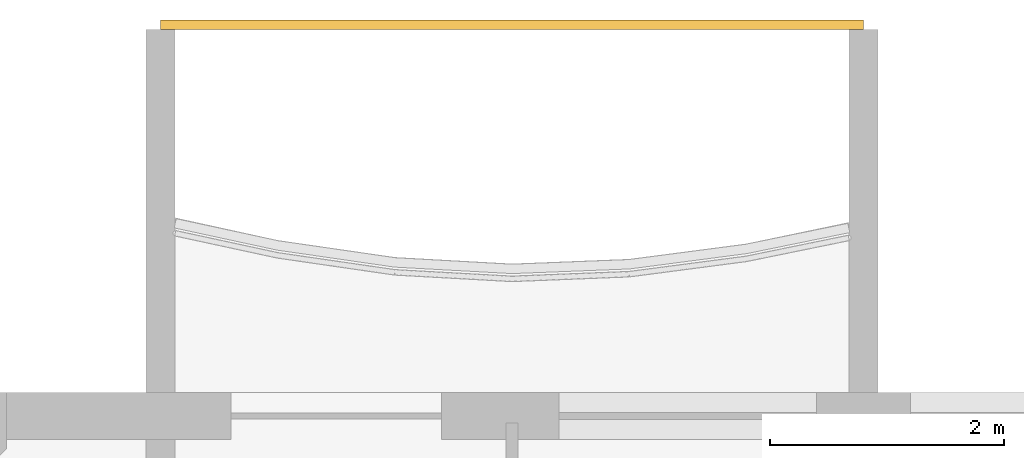
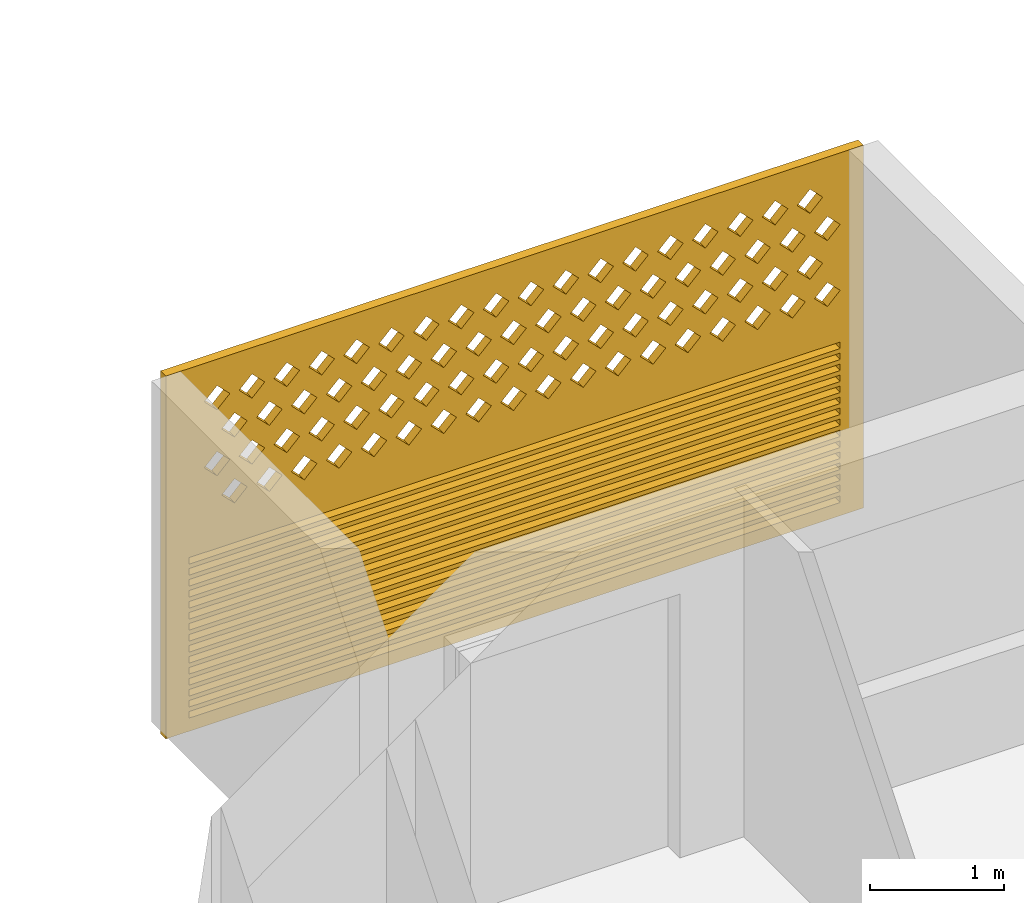
# One storey, part 16 of 26: 1 covering.
"""IFC4 building model written with IfcOpenShell, lengths in metres."""

from ifc_helpers import new_model, si_unit, direction, frame, origin, place, context, subcontext, project, spatial, polyline, outline, extrude, source, transform, mapped, material, material_profile, profile_set, type_object, element, save


model = new_model("IFC4")

# Units and contexts
model_context = context("Model", 3, precision=1e-05, world=origin(), true_north=direction((0.0, 1.0)))
body_context = subcontext(model_context, "Body", "Model", "MODEL_VIEW")
ifc_project = project(units=[si_unit("LENGTHUNIT", "METRE"), si_unit("AREAUNIT", "SQUARE_METRE"), si_unit("VOLUMEUNIT", "CUBIC_METRE"), si_unit("PLANEANGLEUNIT", "RADIAN"), si_unit("MASSUNIT", "GRAM", prefix="KILO")], contexts=[model_context])

# Site, building, storey
site_placement = place(None, origin())
site = spatial("IfcSite", under=ifc_project, at=site_placement, CompositionType="ELEMENT")
building_placement = place(site_placement, origin())
building = spatial("IfcBuilding", under=site, at=building_placement, Name="Poui Terraces", CompositionType="ELEMENT")
storey_placement = place(building_placement, frame((0.0, 0.0, 244.5)))
storey = spatial("IfcBuildingStorey", under=building, at=storey_placement, Name="L68", CompositionType="ELEMENT", Elevation=244.5)

# Covering
ifc_material = material(Name="Terracotta screen", Category="masonry")
ifc_material_profile = material_profile(ifc_material, outline(polyline([(-3.0, -1.64990234375), (3.0, -1.64990234375), (3.0, 1.64990234375), (-3.0, 1.64990234375), (-3.0, -1.64990234375)]), holes=[polyline([(-2.800048828125, 0.39990234375), (-2.68994140625, 0.2900390625), (-2.580078125, 0.39990234375), (-2.68994140625, 0.510009765625), (-2.800048828125, 0.39990234375)]), polyline([(-2.5, 0.39990234375), (-2.389892578125, 0.2900390625), (-2.280029296875, 0.39990234375), (-2.389892578125, 0.510009765625), (-2.5, 0.39990234375)]), polyline([(-2.199951171875, 0.39990234375), (-2.090087890625, 0.2900390625), (-1.97998046875, 0.39990234375), (-2.090087890625, 0.510009765625), (-2.199951171875, 0.39990234375)]), polyline([(-1.89990234375, 0.39990234375), (-1.7900390625, 0.2900390625), (-1.679931640625, 0.39990234375), (-1.7900390625, 0.510009765625), (-1.89990234375, 0.39990234375)]), polyline([(-1.60009765625, 0.39990234375), (-1.489990234375, 0.2900390625), (-1.3798828125, 0.39990234375), (-1.489990234375, 0.510009765625), (-1.60009765625, 0.39990234375)]), polyline([(-1.300048828125, 0.39990234375), (-1.18994140625, 0.2900390625), (-1.080078125, 0.39990234375), (-1.18994140625, 0.510009765625), (-1.300048828125, 0.39990234375)]), polyline([(-1.0, 0.39990234375), (-0.889892578125, 0.2900390625), (-0.780029296875, 0.39990234375), (-0.889892578125, 0.510009765625), (-1.0, 0.39990234375)]), polyline([(-0.699951171875, 0.39990234375), (-0.590087890625, 0.2900390625), (-0.47998046875, 0.39990234375), (-0.590087890625, 0.510009765625), (-0.699951171875, 0.39990234375)]), polyline([(-0.39990234375, 0.39990234375), (-0.2900390625, 0.2900390625), (-0.179931640625, 0.39990234375), (-0.2900390625, 0.510009765625), (-0.39990234375, 0.39990234375)]), polyline([(-0.10009765625, 0.39990234375), (0.010009765625, 0.2900390625), (0.1201171875, 0.39990234375), (0.010009765625, 0.510009765625), (-0.10009765625, 0.39990234375)]), polyline([(0.199951171875, 0.39990234375), (0.31005859375, 0.2900390625), (0.419921875, 0.39990234375), (0.31005859375, 0.510009765625), (0.199951171875, 0.39990234375)]), polyline([(0.5, 0.39990234375), (0.610107421875, 0.2900390625), (0.719970703125, 0.39990234375), (0.610107421875, 0.510009765625), (0.5, 0.39990234375)]), polyline([(0.800048828125, 0.39990234375), (0.909912109375, 0.2900390625), (1.02001953125, 0.39990234375), (0.909912109375, 0.510009765625), (0.800048828125, 0.39990234375)]), polyline([(1.10009765625, 0.39990234375), (1.2099609375, 0.2900390625), (1.320068359375, 0.39990234375), (1.2099609375, 0.510009765625), (1.10009765625, 0.39990234375)]), polyline([(1.39990234375, 0.39990234375), (1.510009765625, 0.2900390625), (1.6201171875, 0.39990234375), (1.510009765625, 0.510009765625), (1.39990234375, 0.39990234375)]), polyline([(1.699951171875, 0.39990234375), (1.81005859375, 0.2900390625), (1.919921875, 0.39990234375), (1.81005859375, 0.510009765625), (1.699951171875, 0.39990234375)]), polyline([(2.0, 0.39990234375), (2.110107421875, 0.2900390625), (2.219970703125, 0.39990234375), (2.110107421875, 0.510009765625), (2.0, 0.39990234375)]), polyline([(2.300048828125, 0.39990234375), (2.409912109375, 0.2900390625), (2.52001953125, 0.39990234375), (2.409912109375, 0.510009765625), (2.300048828125, 0.39990234375)]), polyline([(-2.64990234375, 0.699951171875), (-2.5400390625, 0.590087890625), (-2.429931640625, 0.699951171875), (-2.5400390625, 0.81005859375), (-2.64990234375, 0.699951171875)]), polyline([(-2.35009765625, 0.699951171875), (-2.239990234375, 0.590087890625), (-2.1298828125, 0.699951171875), (-2.239990234375, 0.81005859375), (-2.35009765625, 0.699951171875)]), polyline([(-2.050048828125, 0.699951171875), (-1.93994140625, 0.590087890625), (-1.830078125, 0.699951171875), (-1.93994140625, 0.81005859375), (-2.050048828125, 0.699951171875)]), polyline([(-1.75, 0.699951171875), (-1.639892578125, 0.590087890625), (-1.530029296875, 0.699951171875), (-1.639892578125, 0.81005859375), (-1.75, 0.699951171875)]), polyline([(-1.449951171875, 0.699951171875), (-1.340087890625, 0.590087890625), (-1.22998046875, 0.699951171875), (-1.340087890625, 0.81005859375), (-1.449951171875, 0.699951171875)]), polyline([(-1.14990234375, 0.699951171875), (-1.0400390625, 0.590087890625), (-0.929931640625, 0.699951171875), (-1.0400390625, 0.81005859375), (-1.14990234375, 0.699951171875)]), polyline([(-0.85009765625, 0.699951171875), (-0.739990234375, 0.590087890625), (-0.6298828125, 0.699951171875), (-0.739990234375, 0.81005859375), (-0.85009765625, 0.699951171875)]), polyline([(-0.550048828125, 0.699951171875), (-0.43994140625, 0.590087890625), (-0.330078125, 0.699951171875), (-0.43994140625, 0.81005859375), (-0.550048828125, 0.699951171875)]), polyline([(-0.25, 0.699951171875), (-0.139892578125, 0.590087890625), (-0.030029296875, 0.699951171875), (-0.139892578125, 0.81005859375), (-0.25, 0.699951171875)]), polyline([(0.050048828125, 0.699951171875), (0.159912109375, 0.590087890625), (0.27001953125, 0.699951171875), (0.159912109375, 0.81005859375), (0.050048828125, 0.699951171875)]), polyline([(0.35009765625, 0.699951171875), (0.4599609375, 0.590087890625), (0.570068359375, 0.699951171875), (0.4599609375, 0.81005859375), (0.35009765625, 0.699951171875)]), polyline([(0.64990234375, 0.699951171875), (0.760009765625, 0.590087890625), (0.8701171875, 0.699951171875), (0.760009765625, 0.81005859375), (0.64990234375, 0.699951171875)]), polyline([(0.949951171875, 0.699951171875), (1.06005859375, 0.590087890625), (1.169921875, 0.699951171875), (1.06005859375, 0.81005859375), (0.949951171875, 0.699951171875)]), polyline([(1.25, 0.699951171875), (1.360107421875, 0.590087890625), (1.469970703125, 0.699951171875), (1.360107421875, 0.81005859375), (1.25, 0.699951171875)]), polyline([(1.550048828125, 0.699951171875), (1.659912109375, 0.590087890625), (1.77001953125, 0.699951171875), (1.659912109375, 0.81005859375), (1.550048828125, 0.699951171875)]), polyline([(1.85009765625, 0.699951171875), (1.9599609375, 0.590087890625), (2.070068359375, 0.699951171875), (1.9599609375, 0.81005859375), (1.85009765625, 0.699951171875)]), polyline([(2.14990234375, 0.699951171875), (2.260009765625, 0.590087890625), (2.3701171875, 0.699951171875), (2.260009765625, 0.81005859375), (2.14990234375, 0.699951171875)]), polyline([(2.449951171875, 0.699951171875), (2.56005859375, 0.590087890625), (2.669921875, 0.699951171875), (2.56005859375, 0.81005859375), (2.449951171875, 0.699951171875)]), polyline([(-2.800048828125, 1.0), (-2.68994140625, 0.889892578125), (-2.580078125, 1.0), (-2.68994140625, 1.110107421875), (-2.800048828125, 1.0)]), polyline([(-2.5, 1.0), (-2.389892578125, 0.889892578125), (-2.280029296875, 1.0), (-2.389892578125, 1.110107421875), (-2.5, 1.0)]), polyline([(-2.199951171875, 1.0), (-2.090087890625, 0.889892578125), (-1.97998046875, 1.0), (-2.090087890625, 1.110107421875), (-2.199951171875, 1.0)]), polyline([(-1.89990234375, 1.0), (-1.7900390625, 0.889892578125), (-1.679931640625, 1.0), (-1.7900390625, 1.110107421875), (-1.89990234375, 1.0)]), polyline([(-1.60009765625, 1.0), (-1.489990234375, 0.889892578125), (-1.3798828125, 1.0), (-1.489990234375, 1.110107421875), (-1.60009765625, 1.0)]), polyline([(-1.300048828125, 1.0), (-1.18994140625, 0.889892578125), (-1.080078125, 1.0), (-1.18994140625, 1.110107421875), (-1.300048828125, 1.0)]), polyline([(-1.0, 1.0), (-0.889892578125, 0.889892578125), (-0.780029296875, 1.0), (-0.889892578125, 1.110107421875), (-1.0, 1.0)]), polyline([(-0.699951171875, 1.0), (-0.590087890625, 0.889892578125), (-0.47998046875, 1.0), (-0.590087890625, 1.110107421875), (-0.699951171875, 1.0)]), polyline([(-0.39990234375, 1.0), (-0.2900390625, 0.889892578125), (-0.179931640625, 1.0), (-0.2900390625, 1.110107421875), (-0.39990234375, 1.0)]), polyline([(-0.10009765625, 1.0), (0.010009765625, 0.889892578125), (0.1201171875, 1.0), (0.010009765625, 1.110107421875), (-0.10009765625, 1.0)]), polyline([(0.199951171875, 1.0), (0.31005859375, 0.889892578125), (0.419921875, 1.0), (0.31005859375, 1.110107421875), (0.199951171875, 1.0)]), polyline([(0.5, 1.0), (0.610107421875, 0.889892578125), (0.719970703125, 1.0), (0.610107421875, 1.110107421875), (0.5, 1.0)]), polyline([(0.800048828125, 1.0), (0.909912109375, 0.889892578125), (1.02001953125, 1.0), (0.909912109375, 1.110107421875), (0.800048828125, 1.0)]), polyline([(1.10009765625, 1.0), (1.2099609375, 0.889892578125), (1.320068359375, 1.0), (1.2099609375, 1.110107421875), (1.10009765625, 1.0)]), polyline([(1.39990234375, 1.0), (1.510009765625, 0.889892578125), (1.6201171875, 1.0), (1.510009765625, 1.110107421875), (1.39990234375, 1.0)]), polyline([(1.699951171875, 1.0), (1.81005859375, 0.889892578125), (1.919921875, 1.0), (1.81005859375, 1.110107421875), (1.699951171875, 1.0)]), polyline([(2.0, 1.0), (2.110107421875, 0.889892578125), (2.219970703125, 1.0), (2.110107421875, 1.110107421875), (2.0, 1.0)]), polyline([(2.300048828125, 1.0), (2.409912109375, 0.889892578125), (2.52001953125, 1.0), (2.409912109375, 1.110107421875), (2.300048828125, 1.0)]), polyline([(-2.64990234375, 1.300048828125), (-2.5400390625, 1.18994140625), (-2.429931640625, 1.300048828125), (-2.5400390625, 1.409912109375), (-2.64990234375, 1.300048828125)]), polyline([(-2.35009765625, 1.300048828125), (-2.239990234375, 1.18994140625), (-2.1298828125, 1.300048828125), (-2.239990234375, 1.409912109375), (-2.35009765625, 1.300048828125)]), polyline([(-2.050048828125, 1.300048828125), (-1.93994140625, 1.18994140625), (-1.830078125, 1.300048828125), (-1.93994140625, 1.409912109375), (-2.050048828125, 1.300048828125)]), polyline([(-1.75, 1.300048828125), (-1.639892578125, 1.18994140625), (-1.530029296875, 1.300048828125), (-1.639892578125, 1.409912109375), (-1.75, 1.300048828125)]), polyline([(-1.449951171875, 1.300048828125), (-1.340087890625, 1.18994140625), (-1.22998046875, 1.300048828125), (-1.340087890625, 1.409912109375), (-1.449951171875, 1.300048828125)]), polyline([(-1.14990234375, 1.300048828125), (-1.0400390625, 1.18994140625), (-0.929931640625, 1.300048828125), (-1.0400390625, 1.409912109375), (-1.14990234375, 1.300048828125)]), polyline([(-0.85009765625, 1.300048828125), (-0.739990234375, 1.18994140625), (-0.6298828125, 1.300048828125), (-0.739990234375, 1.409912109375), (-0.85009765625, 1.300048828125)]), polyline([(-0.550048828125, 1.300048828125), (-0.43994140625, 1.18994140625), (-0.330078125, 1.300048828125), (-0.43994140625, 1.409912109375), (-0.550048828125, 1.300048828125)]), polyline([(-0.25, 1.300048828125), (-0.139892578125, 1.18994140625), (-0.030029296875, 1.300048828125), (-0.139892578125, 1.409912109375), (-0.25, 1.300048828125)]), polyline([(0.050048828125, 1.300048828125), (0.159912109375, 1.18994140625), (0.27001953125, 1.300048828125), (0.159912109375, 1.409912109375), (0.050048828125, 1.300048828125)]), polyline([(0.35009765625, 1.300048828125), (0.4599609375, 1.18994140625), (0.570068359375, 1.300048828125), (0.4599609375, 1.409912109375), (0.35009765625, 1.300048828125)]), polyline([(0.64990234375, 1.300048828125), (0.760009765625, 1.18994140625), (0.8701171875, 1.300048828125), (0.760009765625, 1.409912109375), (0.64990234375, 1.300048828125)]), polyline([(0.949951171875, 1.300048828125), (1.06005859375, 1.18994140625), (1.169921875, 1.300048828125), (1.06005859375, 1.409912109375), (0.949951171875, 1.300048828125)]), polyline([(1.25, 1.300048828125), (1.360107421875, 1.18994140625), (1.469970703125, 1.300048828125), (1.360107421875, 1.409912109375), (1.25, 1.300048828125)]), polyline([(1.550048828125, 1.300048828125), (1.659912109375, 1.18994140625), (1.77001953125, 1.300048828125), (1.659912109375, 1.409912109375), (1.550048828125, 1.300048828125)]), polyline([(1.85009765625, 1.300048828125), (1.9599609375, 1.18994140625), (2.070068359375, 1.300048828125), (1.9599609375, 1.409912109375), (1.85009765625, 1.300048828125)]), polyline([(2.14990234375, 1.300048828125), (2.260009765625, 1.18994140625), (2.3701171875, 1.300048828125), (2.260009765625, 1.409912109375), (2.14990234375, 1.300048828125)]), polyline([(2.449951171875, 1.300048828125), (2.56005859375, 1.18994140625), (2.669921875, 1.300048828125), (2.56005859375, 1.409912109375), (2.449951171875, 1.300048828125)]), polyline([(-2.800048828125, -1.530029296875), (2.800048828125, -1.530029296875), (2.800048828125, -1.469970703125), (-2.800048828125, -1.469970703125), (-2.800048828125, -1.530029296875)]), polyline([(-2.800048828125, -1.429931640625), (2.800048828125, -1.429931640625), (2.800048828125, -1.3701171875), (-2.800048828125, -1.3701171875), (-2.800048828125, -1.429931640625)]), polyline([(-2.800048828125, -1.330078125), (2.800048828125, -1.330078125), (2.800048828125, -1.27001953125), (-2.800048828125, -1.27001953125), (-2.800048828125, -1.330078125)]), polyline([(-2.800048828125, -1.22998046875), (2.800048828125, -1.22998046875), (2.800048828125, -1.169921875), (-2.800048828125, -1.169921875), (-2.800048828125, -1.22998046875)]), polyline([(-2.800048828125, -1.1298828125), (2.800048828125, -1.1298828125), (2.800048828125, -1.070068359375), (-2.800048828125, -1.070068359375), (-2.800048828125, -1.1298828125)]), polyline([(-2.800048828125, -1.030029296875), (2.800048828125, -1.030029296875), (2.800048828125, -0.969970703125), (-2.800048828125, -0.969970703125), (-2.800048828125, -1.030029296875)]), polyline([(-2.800048828125, -0.929931640625), (2.800048828125, -0.929931640625), (2.800048828125, -0.8701171875), (-2.800048828125, -0.8701171875), (-2.800048828125, -0.929931640625)]), polyline([(-2.800048828125, -0.830078125), (2.800048828125, -0.830078125), (2.800048828125, -0.77001953125), (-2.800048828125, -0.77001953125), (-2.800048828125, -0.830078125)]), polyline([(-2.800048828125, -0.72998046875), (2.800048828125, -0.72998046875), (2.800048828125, -0.669921875), (-2.800048828125, -0.669921875), (-2.800048828125, -0.72998046875)]), polyline([(-2.800048828125, -0.6298828125), (2.800048828125, -0.6298828125), (2.800048828125, -0.570068359375), (-2.800048828125, -0.570068359375), (-2.800048828125, -0.6298828125)]), polyline([(-2.800048828125, -0.530029296875), (2.800048828125, -0.530029296875), (2.800048828125, -0.469970703125), (-2.800048828125, -0.469970703125), (-2.800048828125, -0.530029296875)]), polyline([(-2.800048828125, -0.429931640625), (2.800048828125, -0.429931640625), (2.800048828125, -0.3701171875), (-2.800048828125, -0.3701171875), (-2.800048828125, -0.429931640625)]), polyline([(-2.800048828125, -0.330078125), (2.800048828125, -0.330078125), (2.800048828125, -0.27001953125), (-2.800048828125, -0.27001953125), (-2.800048828125, -0.330078125)]), polyline([(-2.800048828125, -0.22998046875), (2.800048828125, -0.22998046875), (2.800048828125, -0.169921875), (-2.800048828125, -0.169921875), (-2.800048828125, -0.22998046875)]), polyline([(-2.800048828125, -0.1298828125), (2.800048828125, -0.1298828125), (2.800048828125, -0.070068359375), (-2.800048828125, -0.070068359375), (-2.800048828125, -0.1298828125)])]), Name="TERRACOTTA SCREEN AND JALOUSIE LOUVRE 6000X3300")
ifc_profile_set = profile_set([ifc_material_profile], Name="Terracotta screen")
covering_type = type_object("IfcCoveringType", Name="TERRACOTTA SCREEN AND JALOUSIE LOUVRE 6000X3300", PredefinedType="CLADDING", material=ifc_profile_set)
shared_shape = source(origin(), body_context, "Body", "SweptSolid", [
    extrude(outline(polyline([(-3.0, -1.64990234375), (3.0, -1.64990234375), (3.0, 1.64990234375), (-3.0, 1.64990234375), (-3.0, -1.64990234375)]), holes=[polyline([(-2.800048828125, 0.39990234375), (-2.68994140625, 0.2900390625), (-2.580078125, 0.39990234375), (-2.68994140625, 0.510009765625), (-2.800048828125, 0.39990234375)]), polyline([(-2.5, 0.39990234375), (-2.389892578125, 0.2900390625), (-2.280029296875, 0.39990234375), (-2.389892578125, 0.510009765625), (-2.5, 0.39990234375)]), polyline([(-2.199951171875, 0.39990234375), (-2.090087890625, 0.2900390625), (-1.97998046875, 0.39990234375), (-2.090087890625, 0.510009765625), (-2.199951171875, 0.39990234375)]), polyline([(-1.89990234375, 0.39990234375), (-1.7900390625, 0.2900390625), (-1.679931640625, 0.39990234375), (-1.7900390625, 0.510009765625), (-1.89990234375, 0.39990234375)]), polyline([(-1.60009765625, 0.39990234375), (-1.489990234375, 0.2900390625), (-1.3798828125, 0.39990234375), (-1.489990234375, 0.510009765625), (-1.60009765625, 0.39990234375)]), polyline([(-1.300048828125, 0.39990234375), (-1.18994140625, 0.2900390625), (-1.080078125, 0.39990234375), (-1.18994140625, 0.510009765625), (-1.300048828125, 0.39990234375)]), polyline([(-1.0, 0.39990234375), (-0.889892578125, 0.2900390625), (-0.780029296875, 0.39990234375), (-0.889892578125, 0.510009765625), (-1.0, 0.39990234375)]), polyline([(-0.699951171875, 0.39990234375), (-0.590087890625, 0.2900390625), (-0.47998046875, 0.39990234375), (-0.590087890625, 0.510009765625), (-0.699951171875, 0.39990234375)]), polyline([(-0.39990234375, 0.39990234375), (-0.2900390625, 0.2900390625), (-0.179931640625, 0.39990234375), (-0.2900390625, 0.510009765625), (-0.39990234375, 0.39990234375)]), polyline([(-0.10009765625, 0.39990234375), (0.010009765625, 0.2900390625), (0.1201171875, 0.39990234375), (0.010009765625, 0.510009765625), (-0.10009765625, 0.39990234375)]), polyline([(0.199951171875, 0.39990234375), (0.31005859375, 0.2900390625), (0.419921875, 0.39990234375), (0.31005859375, 0.510009765625), (0.199951171875, 0.39990234375)]), polyline([(0.5, 0.39990234375), (0.610107421875, 0.2900390625), (0.719970703125, 0.39990234375), (0.610107421875, 0.510009765625), (0.5, 0.39990234375)]), polyline([(0.800048828125, 0.39990234375), (0.909912109375, 0.2900390625), (1.02001953125, 0.39990234375), (0.909912109375, 0.510009765625), (0.800048828125, 0.39990234375)]), polyline([(1.10009765625, 0.39990234375), (1.2099609375, 0.2900390625), (1.320068359375, 0.39990234375), (1.2099609375, 0.510009765625), (1.10009765625, 0.39990234375)]), polyline([(1.39990234375, 0.39990234375), (1.510009765625, 0.2900390625), (1.6201171875, 0.39990234375), (1.510009765625, 0.510009765625), (1.39990234375, 0.39990234375)]), polyline([(1.699951171875, 0.39990234375), (1.81005859375, 0.2900390625), (1.919921875, 0.39990234375), (1.81005859375, 0.510009765625), (1.699951171875, 0.39990234375)]), polyline([(2.0, 0.39990234375), (2.110107421875, 0.2900390625), (2.219970703125, 0.39990234375), (2.110107421875, 0.510009765625), (2.0, 0.39990234375)]), polyline([(2.300048828125, 0.39990234375), (2.409912109375, 0.2900390625), (2.52001953125, 0.39990234375), (2.409912109375, 0.510009765625), (2.300048828125, 0.39990234375)]), polyline([(-2.64990234375, 0.699951171875), (-2.5400390625, 0.590087890625), (-2.429931640625, 0.699951171875), (-2.5400390625, 0.81005859375), (-2.64990234375, 0.699951171875)]), polyline([(-2.35009765625, 0.699951171875), (-2.239990234375, 0.590087890625), (-2.1298828125, 0.699951171875), (-2.239990234375, 0.81005859375), (-2.35009765625, 0.699951171875)]), polyline([(-2.050048828125, 0.699951171875), (-1.93994140625, 0.590087890625), (-1.830078125, 0.699951171875), (-1.93994140625, 0.81005859375), (-2.050048828125, 0.699951171875)]), polyline([(-1.75, 0.699951171875), (-1.639892578125, 0.590087890625), (-1.530029296875, 0.699951171875), (-1.639892578125, 0.81005859375), (-1.75, 0.699951171875)]), polyline([(-1.449951171875, 0.699951171875), (-1.340087890625, 0.590087890625), (-1.22998046875, 0.699951171875), (-1.340087890625, 0.81005859375), (-1.449951171875, 0.699951171875)]), polyline([(-1.14990234375, 0.699951171875), (-1.0400390625, 0.590087890625), (-0.929931640625, 0.699951171875), (-1.0400390625, 0.81005859375), (-1.14990234375, 0.699951171875)]), polyline([(-0.85009765625, 0.699951171875), (-0.739990234375, 0.590087890625), (-0.6298828125, 0.699951171875), (-0.739990234375, 0.81005859375), (-0.85009765625, 0.699951171875)]), polyline([(-0.550048828125, 0.699951171875), (-0.43994140625, 0.590087890625), (-0.330078125, 0.699951171875), (-0.43994140625, 0.81005859375), (-0.550048828125, 0.699951171875)]), polyline([(-0.25, 0.699951171875), (-0.139892578125, 0.590087890625), (-0.030029296875, 0.699951171875), (-0.139892578125, 0.81005859375), (-0.25, 0.699951171875)]), polyline([(0.050048828125, 0.699951171875), (0.159912109375, 0.590087890625), (0.27001953125, 0.699951171875), (0.159912109375, 0.81005859375), (0.050048828125, 0.699951171875)]), polyline([(0.35009765625, 0.699951171875), (0.4599609375, 0.590087890625), (0.570068359375, 0.699951171875), (0.4599609375, 0.81005859375), (0.35009765625, 0.699951171875)]), polyline([(0.64990234375, 0.699951171875), (0.760009765625, 0.590087890625), (0.8701171875, 0.699951171875), (0.760009765625, 0.81005859375), (0.64990234375, 0.699951171875)]), polyline([(0.949951171875, 0.699951171875), (1.06005859375, 0.590087890625), (1.169921875, 0.699951171875), (1.06005859375, 0.81005859375), (0.949951171875, 0.699951171875)]), polyline([(1.25, 0.699951171875), (1.360107421875, 0.590087890625), (1.469970703125, 0.699951171875), (1.360107421875, 0.81005859375), (1.25, 0.699951171875)]), polyline([(1.550048828125, 0.699951171875), (1.659912109375, 0.590087890625), (1.77001953125, 0.699951171875), (1.659912109375, 0.81005859375), (1.550048828125, 0.699951171875)]), polyline([(1.85009765625, 0.699951171875), (1.9599609375, 0.590087890625), (2.070068359375, 0.699951171875), (1.9599609375, 0.81005859375), (1.85009765625, 0.699951171875)]), polyline([(2.14990234375, 0.699951171875), (2.260009765625, 0.590087890625), (2.3701171875, 0.699951171875), (2.260009765625, 0.81005859375), (2.14990234375, 0.699951171875)]), polyline([(2.449951171875, 0.699951171875), (2.56005859375, 0.590087890625), (2.669921875, 0.699951171875), (2.56005859375, 0.81005859375), (2.449951171875, 0.699951171875)]), polyline([(-2.800048828125, 1.0), (-2.68994140625, 0.889892578125), (-2.580078125, 1.0), (-2.68994140625, 1.110107421875), (-2.800048828125, 1.0)]), polyline([(-2.5, 1.0), (-2.389892578125, 0.889892578125), (-2.280029296875, 1.0), (-2.389892578125, 1.110107421875), (-2.5, 1.0)]), polyline([(-2.199951171875, 1.0), (-2.090087890625, 0.889892578125), (-1.97998046875, 1.0), (-2.090087890625, 1.110107421875), (-2.199951171875, 1.0)]), polyline([(-1.89990234375, 1.0), (-1.7900390625, 0.889892578125), (-1.679931640625, 1.0), (-1.7900390625, 1.110107421875), (-1.89990234375, 1.0)]), polyline([(-1.60009765625, 1.0), (-1.489990234375, 0.889892578125), (-1.3798828125, 1.0), (-1.489990234375, 1.110107421875), (-1.60009765625, 1.0)]), polyline([(-1.300048828125, 1.0), (-1.18994140625, 0.889892578125), (-1.080078125, 1.0), (-1.18994140625, 1.110107421875), (-1.300048828125, 1.0)]), polyline([(-1.0, 1.0), (-0.889892578125, 0.889892578125), (-0.780029296875, 1.0), (-0.889892578125, 1.110107421875), (-1.0, 1.0)]), polyline([(-0.699951171875, 1.0), (-0.590087890625, 0.889892578125), (-0.47998046875, 1.0), (-0.590087890625, 1.110107421875), (-0.699951171875, 1.0)]), polyline([(-0.39990234375, 1.0), (-0.2900390625, 0.889892578125), (-0.179931640625, 1.0), (-0.2900390625, 1.110107421875), (-0.39990234375, 1.0)]), polyline([(-0.10009765625, 1.0), (0.010009765625, 0.889892578125), (0.1201171875, 1.0), (0.010009765625, 1.110107421875), (-0.10009765625, 1.0)]), polyline([(0.199951171875, 1.0), (0.31005859375, 0.889892578125), (0.419921875, 1.0), (0.31005859375, 1.110107421875), (0.199951171875, 1.0)]), polyline([(0.5, 1.0), (0.610107421875, 0.889892578125), (0.719970703125, 1.0), (0.610107421875, 1.110107421875), (0.5, 1.0)]), polyline([(0.800048828125, 1.0), (0.909912109375, 0.889892578125), (1.02001953125, 1.0), (0.909912109375, 1.110107421875), (0.800048828125, 1.0)]), polyline([(1.10009765625, 1.0), (1.2099609375, 0.889892578125), (1.320068359375, 1.0), (1.2099609375, 1.110107421875), (1.10009765625, 1.0)]), polyline([(1.39990234375, 1.0), (1.510009765625, 0.889892578125), (1.6201171875, 1.0), (1.510009765625, 1.110107421875), (1.39990234375, 1.0)]), polyline([(1.699951171875, 1.0), (1.81005859375, 0.889892578125), (1.919921875, 1.0), (1.81005859375, 1.110107421875), (1.699951171875, 1.0)]), polyline([(2.0, 1.0), (2.110107421875, 0.889892578125), (2.219970703125, 1.0), (2.110107421875, 1.110107421875), (2.0, 1.0)]), polyline([(2.300048828125, 1.0), (2.409912109375, 0.889892578125), (2.52001953125, 1.0), (2.409912109375, 1.110107421875), (2.300048828125, 1.0)]), polyline([(-2.64990234375, 1.300048828125), (-2.5400390625, 1.18994140625), (-2.429931640625, 1.300048828125), (-2.5400390625, 1.409912109375), (-2.64990234375, 1.300048828125)]), polyline([(-2.35009765625, 1.300048828125), (-2.239990234375, 1.18994140625), (-2.1298828125, 1.300048828125), (-2.239990234375, 1.409912109375), (-2.35009765625, 1.300048828125)]), polyline([(-2.050048828125, 1.300048828125), (-1.93994140625, 1.18994140625), (-1.830078125, 1.300048828125), (-1.93994140625, 1.409912109375), (-2.050048828125, 1.300048828125)]), polyline([(-1.75, 1.300048828125), (-1.639892578125, 1.18994140625), (-1.530029296875, 1.300048828125), (-1.639892578125, 1.409912109375), (-1.75, 1.300048828125)]), polyline([(-1.449951171875, 1.300048828125), (-1.340087890625, 1.18994140625), (-1.22998046875, 1.300048828125), (-1.340087890625, 1.409912109375), (-1.449951171875, 1.300048828125)]), polyline([(-1.14990234375, 1.300048828125), (-1.0400390625, 1.18994140625), (-0.929931640625, 1.300048828125), (-1.0400390625, 1.409912109375), (-1.14990234375, 1.300048828125)]), polyline([(-0.85009765625, 1.300048828125), (-0.739990234375, 1.18994140625), (-0.6298828125, 1.300048828125), (-0.739990234375, 1.409912109375), (-0.85009765625, 1.300048828125)]), polyline([(-0.550048828125, 1.300048828125), (-0.43994140625, 1.18994140625), (-0.330078125, 1.300048828125), (-0.43994140625, 1.409912109375), (-0.550048828125, 1.300048828125)]), polyline([(-0.25, 1.300048828125), (-0.139892578125, 1.18994140625), (-0.030029296875, 1.300048828125), (-0.139892578125, 1.409912109375), (-0.25, 1.300048828125)]), polyline([(0.050048828125, 1.300048828125), (0.159912109375, 1.18994140625), (0.27001953125, 1.300048828125), (0.159912109375, 1.409912109375), (0.050048828125, 1.300048828125)]), polyline([(0.35009765625, 1.300048828125), (0.4599609375, 1.18994140625), (0.570068359375, 1.300048828125), (0.4599609375, 1.409912109375), (0.35009765625, 1.300048828125)]), polyline([(0.64990234375, 1.300048828125), (0.760009765625, 1.18994140625), (0.8701171875, 1.300048828125), (0.760009765625, 1.409912109375), (0.64990234375, 1.300048828125)]), polyline([(0.949951171875, 1.300048828125), (1.06005859375, 1.18994140625), (1.169921875, 1.300048828125), (1.06005859375, 1.409912109375), (0.949951171875, 1.300048828125)]), polyline([(1.25, 1.300048828125), (1.360107421875, 1.18994140625), (1.469970703125, 1.300048828125), (1.360107421875, 1.409912109375), (1.25, 1.300048828125)]), polyline([(1.550048828125, 1.300048828125), (1.659912109375, 1.18994140625), (1.77001953125, 1.300048828125), (1.659912109375, 1.409912109375), (1.550048828125, 1.300048828125)]), polyline([(1.85009765625, 1.300048828125), (1.9599609375, 1.18994140625), (2.070068359375, 1.300048828125), (1.9599609375, 1.409912109375), (1.85009765625, 1.300048828125)]), polyline([(2.14990234375, 1.300048828125), (2.260009765625, 1.18994140625), (2.3701171875, 1.300048828125), (2.260009765625, 1.409912109375), (2.14990234375, 1.300048828125)]), polyline([(2.449951171875, 1.300048828125), (2.56005859375, 1.18994140625), (2.669921875, 1.300048828125), (2.56005859375, 1.409912109375), (2.449951171875, 1.300048828125)]), polyline([(-2.800048828125, -1.530029296875), (2.800048828125, -1.530029296875), (2.800048828125, -1.469970703125), (-2.800048828125, -1.469970703125), (-2.800048828125, -1.530029296875)]), polyline([(-2.800048828125, -1.429931640625), (2.800048828125, -1.429931640625), (2.800048828125, -1.3701171875), (-2.800048828125, -1.3701171875), (-2.800048828125, -1.429931640625)]), polyline([(-2.800048828125, -1.330078125), (2.800048828125, -1.330078125), (2.800048828125, -1.27001953125), (-2.800048828125, -1.27001953125), (-2.800048828125, -1.330078125)]), polyline([(-2.800048828125, -1.22998046875), (2.800048828125, -1.22998046875), (2.800048828125, -1.169921875), (-2.800048828125, -1.169921875), (-2.800048828125, -1.22998046875)]), polyline([(-2.800048828125, -1.1298828125), (2.800048828125, -1.1298828125), (2.800048828125, -1.070068359375), (-2.800048828125, -1.070068359375), (-2.800048828125, -1.1298828125)]), polyline([(-2.800048828125, -1.030029296875), (2.800048828125, -1.030029296875), (2.800048828125, -0.969970703125), (-2.800048828125, -0.969970703125), (-2.800048828125, -1.030029296875)]), polyline([(-2.800048828125, -0.929931640625), (2.800048828125, -0.929931640625), (2.800048828125, -0.8701171875), (-2.800048828125, -0.8701171875), (-2.800048828125, -0.929931640625)]), polyline([(-2.800048828125, -0.830078125), (2.800048828125, -0.830078125), (2.800048828125, -0.77001953125), (-2.800048828125, -0.77001953125), (-2.800048828125, -0.830078125)]), polyline([(-2.800048828125, -0.72998046875), (2.800048828125, -0.72998046875), (2.800048828125, -0.669921875), (-2.800048828125, -0.669921875), (-2.800048828125, -0.72998046875)]), polyline([(-2.800048828125, -0.6298828125), (2.800048828125, -0.6298828125), (2.800048828125, -0.570068359375), (-2.800048828125, -0.570068359375), (-2.800048828125, -0.6298828125)]), polyline([(-2.800048828125, -0.530029296875), (2.800048828125, -0.530029296875), (2.800048828125, -0.469970703125), (-2.800048828125, -0.469970703125), (-2.800048828125, -0.530029296875)]), polyline([(-2.800048828125, -0.429931640625), (2.800048828125, -0.429931640625), (2.800048828125, -0.3701171875), (-2.800048828125, -0.3701171875), (-2.800048828125, -0.429931640625)]), polyline([(-2.800048828125, -0.330078125), (2.800048828125, -0.330078125), (2.800048828125, -0.27001953125), (-2.800048828125, -0.27001953125), (-2.800048828125, -0.330078125)]), polyline([(-2.800048828125, -0.22998046875), (2.800048828125, -0.22998046875), (2.800048828125, -0.169921875), (-2.800048828125, -0.169921875), (-2.800048828125, -0.22998046875)]), polyline([(-2.800048828125, -0.1298828125), (2.800048828125, -0.1298828125), (2.800048828125, -0.070068359375), (-2.800048828125, -0.070068359375), (-2.800048828125, -0.1298828125)])]), origin(), (0.0, 0.0, 1.0), 0.080078125),
])
covering_placement = place(storey_placement, frame((27.0, 44.5, 1.449951171875), z_axis=(0.0, 1.0, 0.0), x_axis=(-1.0, 0.0, 0.0)))
element("IfcCovering", 1, at=covering_placement, inside=storey, type_object=covering_type, Name="SOLAR SCREEN AND JALOUSIE LOUVRE", PredefinedType="CLADDING", context=body_context, shape_type="MappedRepresentation", body=[
    mapped(shared_shape, transform((0.0, 0.0, 0.0))),
])

save(model, "model.ifc")
